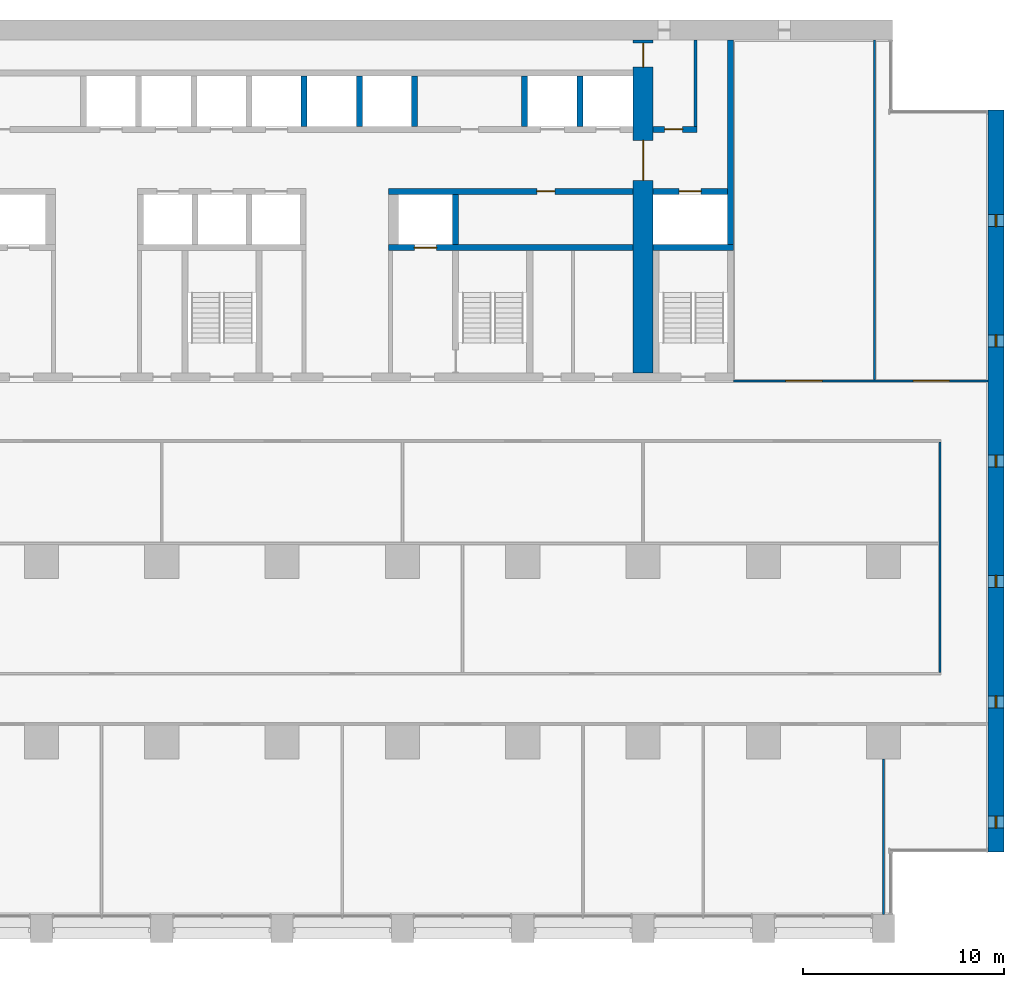
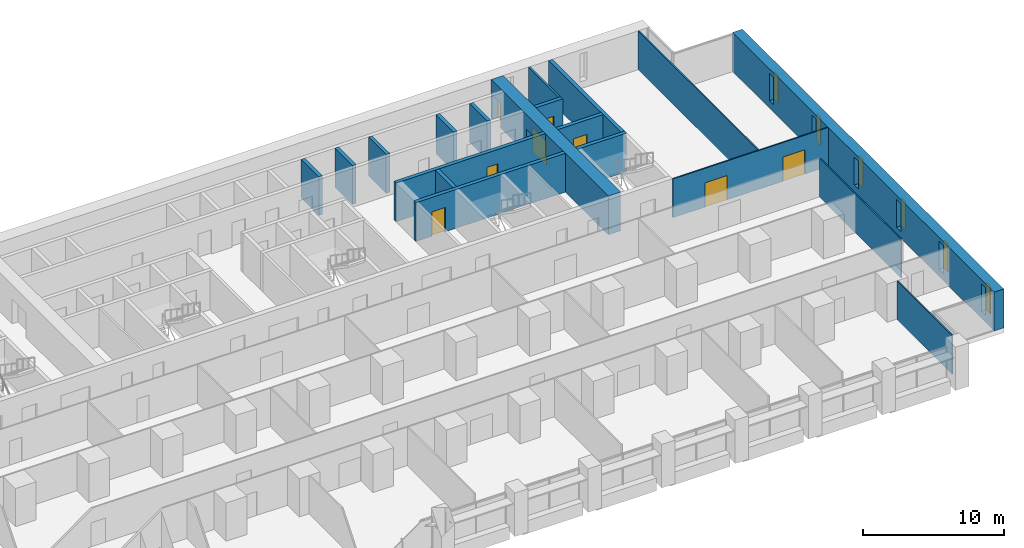
# One storey, part 13 of 18: 19 walls, 8 doors, 6 windows, 14 openings.
"""IFC4 building model written with IfcOpenShell, lengths in metres."""

import ifcopenshell
import ifcopenshell.guid

model = None  # the IFC model being written
_history = None  # IfcOwnerHistory: only IFC2X3 demands one
_inside = {}  # id of a spatial element -> (the spatial element, [elements in it])
_under = {}  # id of a project, library or spatial element -> (it, [spatial elements below it])
_declared = {}  # id of a project -> (the project, [libraries it declares])
_typed = {}  # id of a type object -> (the type object, [elements of that type])
_made_of = {}  # id of a material, layer set ... -> (it, [elements and type objects made of it])


def new_model(schema):
    """Start an empty IFC model of exactly this schema.

    Asked for "IFC4X3", IfcOpenShell would pick the latest addendum, in which some entities
    have other attributes; the version numbers below select the first issue.
    IFC2X3 requires an IfcOwnerHistory on every rooted entity: one is made here for all.
    """
    global model, _history
    if schema == "IFC4X3":
        model = ifcopenshell.file(schema_version=(4, 3, 0, 0))
    else:
        model = ifcopenshell.file(schema=schema)
    _inside.clear()
    _under.clear()
    _declared.clear()
    _typed.clear()
    _made_of.clear()
    _history = None
    if model.schema == "IFC2X3":
        org = make("IfcOrganization", Name="unknown")
        user = make(
            "IfcPersonAndOrganization",
            ThePerson=make("IfcPerson", FamilyName="unknown"),
            TheOrganization=org,
        )
        app = make(
            "IfcApplication",
            ApplicationDeveloper=org,
            Version="unknown",
            ApplicationFullName="unknown",
            ApplicationIdentifier="unknown",
        )
        _history = make(
            "IfcOwnerHistory",
            OwningUser=user,
            OwningApplication=app,
            ChangeAction="ADDED",
            CreationDate=0,
        )
    return model


def make(cls, **values):
    """One entity of the class cls with the attributes given. An attribute that is None is left unset."""
    return model.create_entity(
        cls, **{name: value for name, value in values.items() if value is not None}
    )


def rooted(cls, **values):
    """An entity with a GlobalId (a new one), such as an element, a storey or a relation."""
    return make(cls, GlobalId=ifcopenshell.guid.new(), OwnerHistory=_history, **values)


def si_unit(unit_type, name, prefix=None):
    """IfcSIUnit, for example si_unit("LENGTHUNIT", "METRE", prefix="MILLI")."""
    return make("IfcSIUnit", UnitType=unit_type, Prefix=prefix, Name=name)


def assignment(units):
    """IfcUnitAssignment: the units of a project."""
    return None if units is None else make("IfcUnitAssignment", Units=units)


def point(xyz):
    """IfcCartesianPoint."""
    return None if xyz is None else make("IfcCartesianPoint", Coordinates=xyz)


def direction(xyz):
    """IfcDirection."""
    return None if xyz is None else make("IfcDirection", DirectionRatios=xyz)


def frame(location, z_axis=None, x_axis=None):
    """IfcAxis2Placement3D, a coordinate frame: its origin and axes. An axis left out is left unset."""
    return make(
        "IfcAxis2Placement3D",
        Location=point(location),
        Axis=direction(z_axis),
        RefDirection=direction(x_axis),
    )


def frame_2d(location, x_axis=None):
    """IfcAxis2Placement2D, a coordinate frame in the plane: its origin and x axis."""
    return make(
        "IfcAxis2Placement2D", Location=point(location), RefDirection=direction(x_axis)
    )


def origin():
    """The frame at (0, 0, 0) with its axes left unset."""
    return frame((0.0, 0.0, 0.0))


def place(relative_to, where):
    """IfcLocalPlacement: puts the frame where relative to a parent placement (None: the world)."""
    return make(
        "IfcLocalPlacement", PlacementRelTo=relative_to, RelativePlacement=where
    )


def context(
    kind, dimensions, precision=None, world=None, true_north=None, identifier=None
):
    """IfcGeometricRepresentationContext, for example the 3D "Model" context."""
    return make(
        "IfcGeometricRepresentationContext",
        ContextIdentifier=identifier,
        ContextType=kind,
        CoordinateSpaceDimension=dimensions,
        Precision=precision,
        WorldCoordinateSystem=world,
        TrueNorth=true_north,
    )


def subcontext(parent, identifier, kind, view, scale=None):
    """IfcGeometricRepresentationSubContext, for example "Body" below "Model"."""
    return make(
        "IfcGeometricRepresentationSubContext",
        ContextIdentifier=identifier,
        ContextType=kind,
        ParentContext=parent,
        TargetScale=scale,
        TargetView=view,
    )


def project(units=None, contexts=None):
    """IfcProject with its units and contexts."""
    return rooted(
        "IfcProject",
        Name="project",
        RepresentationContexts=contexts,
        UnitsInContext=assignment(units),
    )


def spatial(cls, under=None, at=None, **own):
    """A site, building, storey or space (cls), placed at a placement, below another one or the project."""
    s = rooted(cls, ObjectPlacement=at, **own)
    if under is not None:
        _under.setdefault(under.id(), (under, []))[1].append(s)
    return s


def profile(cls, at=None, kind="AREA", **sizes):
    """A parametric profile (cls). Its sizes go by their IFC names, for example OverallWidth=200.0."""
    return make(cls, ProfileType=kind, Position=at, **sizes)


def rectangle(**sizes):
    """IfcRectangleProfileDef."""
    return profile("IfcRectangleProfileDef", **sizes)


def extrude(swept, where, along, depth):
    """IfcExtrudedAreaSolid: the profile swept, set in the frame where, extruded along a direction by depth."""
    return make(
        "IfcExtrudedAreaSolid",
        SweptArea=swept,
        Position=where,
        ExtrudedDirection=direction(along),
        Depth=depth,
    )


def shape(context_of_items, identifier, shape_type, items):
    """IfcShapeRepresentation: the items that make up one representation, for example the "Body"."""
    return make(
        "IfcShapeRepresentation",
        ContextOfItems=context_of_items,
        RepresentationIdentifier=identifier,
        RepresentationType=shape_type,
        Items=items,
    )


def material(Name=None, Category=None):
    """IfcMaterial."""
    return make("IfcMaterial", Name=Name, Category=Category)


def layer(
    of_material, thickness, ventilated=None, Name=None, Category=None, Priority=None
):
    """IfcMaterialLayer: one layer of a wall or slab, of a material (None: an air gap)."""
    return make(
        "IfcMaterialLayer",
        Material=of_material,
        LayerThickness=thickness,
        IsVentilated=ventilated,
        Name=Name,
        Category=Category,
        Priority=Priority,
    )


def layer_set(layers, Name=None):
    """IfcMaterialLayerSet."""
    return make("IfcMaterialLayerSet", MaterialLayers=layers, LayerSetName=Name)


def made_of(thing, what):
    """Note that an element or type object is made of a material, layer set ...; save() writes the relation."""
    if what is not None:
        _made_of.setdefault(what.id(), (what, []))[1].append(thing)
    return thing


def type_object(cls, material=None, **own):
    """A type object (cls), such as IfcWallType, which elements share."""
    return made_of(rooted(cls, **own), material)


def element(
    cls,
    number,
    at=None,
    inside=None,
    cuts=None,
    type_object=None,
    material=None,
    context=None,
    identifier="Body",
    shape_type=None,
    held_by="IfcProductDefinitionShape",
    body=None,
    shapes=None,
    **own,
):
    """One element of the class cls, such as IfcWall. Its Tag is "e" and its number.

    at: its placement. inside: the storey or other place that contains it. cuts: it is an
    opening in that element (IfcRelVoidsElement). A single representation is given by context,
    identifier, shape_type and body (its items); several are given by shapes. held_by: the class
    of the entity that holds the representations. save() writes the other relations.
    """
    e = rooted(cls, Tag="e%d" % number, ObjectPlacement=at, **own)
    if body is not None:
        shapes = [shape(context, identifier, shape_type, body)]
    if shapes is not None:
        e.Representation = make(held_by, Representations=shapes)
    if inside is not None:
        _inside.setdefault(inside.id(), (inside, []))[1].append(e)
    if cuts is not None:
        rooted(
            "IfcRelVoidsElement", RelatingBuildingElement=cuts, RelatedOpeningElement=e
        )
    if type_object is not None:
        _typed.setdefault(type_object.id(), (type_object, []))[1].append(e)
    return made_of(e, material)


def fill(opening, filler):
    """IfcRelFillsElement: the door or window that sits in an opening."""
    return rooted(
        "IfcRelFillsElement",
        RelatingOpeningElement=opening,
        RelatedBuildingElement=filler,
    )


def aggregate(whole, parts):
    """IfcRelAggregates: a whole, such as a stair, and the parts it consists of."""
    return rooted("IfcRelAggregates", RelatingObject=whole, RelatedObjects=parts)


def save(model, path):
    """Write the relations noted so far, then the file.

    IfcRelAggregates (storeys below a building ...), IfcRelContainedInSpatialStructure (elements
    in a storey), IfcRelDefinesByType, IfcRelAssociatesMaterial and IfcRelDeclares: one each for
    every whole, place, type object, material and project.
    """
    for whole, parts in _under.values():
        aggregate(whole, parts)
    for where, things in _inside.values():
        rooted(
            "IfcRelContainedInSpatialStructure",
            RelatedElements=things,
            RelatingStructure=where,
        )
    for kind, things in _typed.values():
        rooted("IfcRelDefinesByType", RelatedObjects=things, RelatingType=kind)
    for what, things in _made_of.values():
        rooted("IfcRelAssociatesMaterial", RelatedObjects=things, RelatingMaterial=what)
    for by, libraries in _declared.values():
        rooted("IfcRelDeclares", RelatingContext=by, RelatedDefinitions=libraries)
    model.write(path)


model = new_model("IFC4")

# Units and contexts
model_context = context("Model", 3, precision=1e-05, world=origin(), true_north=direction((0.0, 1.0)))
body_context = subcontext(model_context, "Body", "Model", "MODEL_VIEW")
ifc_project = project(units=[si_unit("LENGTHUNIT", "METRE"), si_unit("AREAUNIT", "SQUARE_METRE"), si_unit("VOLUMEUNIT", "CUBIC_METRE"), si_unit("PLANEANGLEUNIT", "RADIAN"), si_unit("MASSUNIT", "GRAM", prefix="KILO")], contexts=[model_context])

# Site, building, storey
site_placement = place(None, origin())
site = spatial("IfcSite", under=ifc_project, at=site_placement, CompositionType="ELEMENT")
building_placement = place(site_placement, origin())
building = spatial("IfcBuilding", under=site, at=building_placement, Name="Calvaro Tower", CompositionType="ELEMENT")
storey_placement = place(building_placement, frame((0.0, 0.0, 45.0)))
storey = spatial("IfcBuildingStorey", under=building, at=storey_placement, Name="L10", CompositionType="ELEMENT", Elevation=45.0)

# Wall
ifc_material_1 = material(Name="Blockwork partition", Category="masonry")
ifc_layer_1 = layer(ifc_material_1, 0.14990234375)
ifc_layer_set_1 = layer_set([ifc_layer_1], Name="Blockwork partition")
wall_type_1 = type_object("IfcWallType", Name="Core partition 150 REI 120", PredefinedType="PARTITIONING", material=ifc_layer_set_1)
wall_1_placement = place(storey_placement, frame((62.625, 40.699951171875, 0.0), z_axis=(0.0, 0.0, 1.0), x_axis=(0.0, 1.0, 0.0)))
element("IfcWall", 1, at=wall_1_placement, inside=storey, type_object=wall_type_1, Name="Core partition", PredefinedType="PARTITIONING", context=body_context, shape_type="SweptSolid", body=[
    extrude(rectangle(XDim=4.300048828125, YDim=0.14990234375, at=frame_2d((2.14990234375, 0.0))), origin(), (0.0, 0.0, 1.0), 3.35009765625),
])

# Wall, opening, door
ifc_material_2 = material(Name="Blockwork partition", Category="masonry")
ifc_layer_2 = layer(ifc_material_2, 0.300048828125)
ifc_layer_set_2 = layer_set([ifc_layer_2], Name="Blockwork partition")
wall_type_2 = type_object("IfcWallType", Name="Core partition 300 REI 120", PredefinedType="PARTITIONING", material=ifc_layer_set_2)
wall_2_placement = place(storey_placement, frame((60.5, 40.550048828125, 0.0), z_axis=(0.0, 0.0, 1.0), x_axis=(1.0, 0.0, 0.0)))
wall_2 = element("IfcWall", 2, at=wall_2_placement, inside=storey, type_object=wall_type_2, Name="Core partition", PredefinedType="PARTITIONING", context=body_context, shape_type="SweptSolid", body=[
    extrude(rectangle(XDim=2.199951171875, YDim=0.300048828125, at=frame_2d((1.10009765625, 0.0))), origin(), (0.0, 0.0, 1.0), 3.35009765625),
])
opening_1_placement = place(wall_2_placement, frame((0.574951171875, 0.0, 0.0)))
opening_1 = element("IfcOpeningElement", 3, at=opening_1_placement, cuts=wall_2, Name="Opening RD9E", PredefinedType="OPENING", context=body_context, shape_type="SweptSolid", body=[
    extrude(rectangle(XDim=0.89990234375, YDim=2.10009765625, at=frame_2d((0.449951171875, 1.050048828125))), frame((0.0, 0.159912109375, 0.0), z_axis=(0.0, -1.0, 0.0), x_axis=(1.0, 0.0, 0.0)), (0.0, 0.0, 1.0), 0.320068359375),
])
ifc_material_3 = material(Name="Steel door set", Category="steel")
door_type_1 = type_object("IfcDoorType", Name="Room door 900 FD60", OperationType="SINGLE_SWING_LEFT", PredefinedType="DOOR", material=ifc_material_3)
door_1_placement = place(opening_1_placement, origin())
door_1 = element("IfcDoor", 4, at=door_1_placement, inside=storey, type_object=door_type_1, Name="Room door", OperationType="SINGLE_SWING_LEFT", OverallHeight=2.10009765625, OverallWidth=0.89990234375, PredefinedType="DOOR", context=body_context, shape_type="SweptSolid", body=[
    extrude(rectangle(XDim=0.89990234375, YDim=2.10009765625, at=frame_2d((0.449951171875, 1.050048828125))), frame((0.0, 0.02490234375, 0.0), z_axis=(0.0, -1.0, 0.0), x_axis=(1.0, 0.0, 0.0)), (0.0, 0.0, 1.0), 0.050048828125),
])
fill(opening_1, door_1)

# Wall, openings, doors
ifc_material_4 = material(Name="Concrete C80/95", Category="concrete")
ifc_layer_3 = layer(ifc_material_4, 1.0)
ifc_layer_set_3 = layer_set([ifc_layer_3], Name="Concrete C80/95")
wall_type_3 = type_object("IfcWallType", Name="Core wall C80/95 1000", PredefinedType="SHEAR", material=ifc_layer_set_3)
wall_3_placement = place(storey_placement, frame((60.0, 28.39990234375, 0.0), z_axis=(0.0, 0.0, 1.0), x_axis=(0.0, 1.0, 0.0)))
wall_3 = element("IfcWall", 5, at=wall_3_placement, inside=storey, type_object=wall_type_3, Name="Core wall, cross shear wall", PredefinedType="SHEAR", context=body_context, shape_type="SweptSolid", body=[
    extrude(rectangle(XDim=16.60009765625, YDim=1.0, at=frame_2d((8.300048828125, 0.0))), origin(), (0.0, 0.0, 1.0), 3.35009765625),
])
opening_2_placement = place(wall_3_placement, frame((9.60009765625, 0.0, 0.0)))
opening_2 = element("IfcOpeningElement", 6, at=opening_2_placement, cuts=wall_3, Name="Opening DD20D", PredefinedType="OPENING", context=body_context, shape_type="SweptSolid", body=[
    extrude(rectangle(XDim=2.0, YDim=2.10009765625, at=frame_2d((1.0, 1.050048828125))), frame((0.0, 0.510009765625, 0.0), z_axis=(0.0, -1.0, 0.0), x_axis=(1.0, 0.0, 0.0)), (0.0, 0.0, 1.0), 1.02001953125),
])
opening_3_placement = place(wall_3_placement, frame((15.25, 0.0, 0.0)))
opening_3 = element("IfcOpeningElement", 7, at=opening_3_placement, cuts=wall_3, Name="Opening FD12C", PredefinedType="OPENING", context=body_context, shape_type="SweptSolid", body=[
    extrude(rectangle(XDim=1.199951171875, YDim=2.10009765625, at=frame_2d((0.60009765625, 1.050048828125))), frame((0.0, 0.510009765625, 0.0), z_axis=(0.0, -1.0, 0.0), x_axis=(1.0, 0.0, 0.0)), (0.0, 0.0, 1.0), 1.02001953125),
])
ifc_material_5 = material(Name="Steel door set", Category="steel")
door_type_2 = type_object("IfcDoorType", Name="Fire door 1200 FD30", OperationType="SINGLE_SWING_LEFT", PredefinedType="DOOR", material=ifc_material_5)
door_2_placement = place(opening_3_placement, origin())
door_2 = element("IfcDoor", 8, at=door_2_placement, inside=storey, type_object=door_type_2, Name="Fire door", OperationType="SINGLE_SWING_LEFT", OverallHeight=2.10009765625, OverallWidth=1.199951171875, PredefinedType="DOOR", context=body_context, shape_type="SweptSolid", body=[
    extrude(rectangle(XDim=1.199951171875, YDim=2.10009765625, at=frame_2d((0.60009765625, 1.050048828125))), frame((0.0, 0.02490234375, 0.0), z_axis=(0.0, -1.0, 0.0), x_axis=(1.0, 0.0, 0.0)), (0.0, 0.0, 1.0), 0.050048828125),
])
fill(opening_3, door_2)
ifc_material_6 = material(Name="Steel door set", Category="steel")
door_type_3 = type_object("IfcDoorType", Name="Lobby double door 2000 FD30S", OperationType="DOUBLE_DOOR_SINGLE_SWING", PredefinedType="DOOR", material=ifc_material_6)
door_3_placement = place(opening_2_placement, origin())
door_3 = element("IfcDoor", 9, at=door_3_placement, inside=storey, type_object=door_type_3, Name="Lobby double door", OperationType="DOUBLE_DOOR_SINGLE_SWING", OverallHeight=2.10009765625, OverallWidth=2.0, PredefinedType="DOOR", context=body_context, shape_type="SweptSolid", body=[
    extrude(rectangle(XDim=2.0, YDim=2.10009765625, at=frame_2d((1.0, 1.050048828125))), frame((0.0, 0.02490234375, 0.0), z_axis=(0.0, -1.0, 0.0), x_axis=(1.0, 0.0, 0.0)), (0.0, 0.0, 1.0), 0.050048828125),
])
fill(opening_2, door_3)

# Wall
ifc_material_7 = material(Name="Concrete C80/95", Category="concrete")
ifc_layer_4 = layer(ifc_material_7, 0.300048828125)
ifc_layer_set_4 = layer_set([ifc_layer_4], Name="Concrete C80/95")
wall_type_4 = type_object("IfcWallType", Name="Core wall C80/95 300", PredefinedType="SHEAR", material=ifc_layer_set_4)
wall_4_placement = place(storey_placement, frame((64.35009765625, 34.800048828125, 0.0), z_axis=(0.0, 0.0, 1.0), x_axis=(0.0, 1.0, 0.0)))
element("IfcWall", 10, at=wall_4_placement, inside=storey, type_object=wall_type_4, Name="Core wall, boundary", PredefinedType="SHEAR", context=body_context, shape_type="SweptSolid", body=[
    extrude(rectangle(XDim=10.199951171875, YDim=0.300048828125, at=frame_2d((5.10009765625, 0.0))), origin(), (0.0, 0.0, 1.0), 3.35009765625),
])

# Wall, opening, door
wall_5_placement = place(storey_placement, frame((47.300048828125, 34.64990234375, 0.0), z_axis=(0.0, 0.0, 1.0), x_axis=(1.0, 0.0, 0.0)))
wall_5 = element("IfcWall", 11, at=wall_5_placement, inside=storey, type_object=wall_type_4, Name="Core wall, lift shaft", PredefinedType="SHEAR", context=body_context, shape_type="SweptSolid", body=[
    extrude(rectangle(XDim=12.199951171875, YDim=0.300048828125, at=frame_2d((6.10009765625, 0.0))), origin(), (0.0, 0.0, 1.0), 3.35009765625),
])
opening_4_placement = place(wall_5_placement, frame((1.300048828125, 0.0, 0.0)))
opening_4 = element("IfcOpeningElement", 12, at=opening_4_placement, cuts=wall_5, Name="Opening FF2", PredefinedType="OPENING", context=body_context, shape_type="SweptSolid", body=[
    extrude(rectangle(XDim=1.10009765625, YDim=2.10009765625, at=frame_2d((0.550048828125, 1.050048828125))), frame((0.0, 0.159912109375, 0.0), z_axis=(0.0, -1.0, 0.0), x_axis=(1.0, 0.0, 0.0)), (0.0, 0.0, 1.0), 0.320068359375),
])
ifc_material_8 = material(Name="Stainless steel", Category="steel")
door_type_4 = type_object("IfcDoorType", Name="Landing door 1100 E 60", OperationType="SLIDING_TO_LEFT", PredefinedType="DOOR", material=ifc_material_8)
door_4_placement = place(opening_4_placement, origin())
door_4 = element("IfcDoor", 13, at=door_4_placement, inside=storey, type_object=door_type_4, Name="Landing door FF2", OperationType="SLIDING_TO_LEFT", OverallHeight=2.10009765625, OverallWidth=1.10009765625, PredefinedType="DOOR", context=body_context, shape_type="SweptSolid", body=[
    extrude(rectangle(XDim=1.10009765625, YDim=2.10009765625, at=frame_2d((0.550048828125, 1.050048828125))), frame((0.0, 0.02490234375, 0.0), z_axis=(0.0, -1.0, 0.0), x_axis=(1.0, 0.0, 0.0)), (0.0, 0.0, 1.0), 0.050048828125),
])
fill(opening_4, door_4)

# Wall
wall_6_placement = place(storey_placement, frame((60.5, 34.64990234375, 0.0), z_axis=(0.0, 0.0, 1.0), x_axis=(1.0, 0.0, 0.0)))
element("IfcWall", 14, at=wall_6_placement, inside=storey, type_object=wall_type_4, Name="Core wall, lift shaft", PredefinedType="SHEAR", context=body_context, shape_type="SweptSolid", body=[
    extrude(rectangle(XDim=4.0, YDim=0.300048828125, at=frame_2d((2.0, 0.0))), origin(), (0.0, 0.0, 1.0), 3.35009765625),
])

# Wall, opening, door
wall_7_placement = place(storey_placement, frame((59.5, 37.449951171875, 0.0), z_axis=(0.0, 0.0, 1.0), x_axis=(-1.0, 0.0, 0.0)))
wall_7 = element("IfcWall", 15, at=wall_7_placement, inside=storey, type_object=wall_type_4, Name="Core wall, bay", PredefinedType="SHEAR", context=body_context, shape_type="SweptSolid", body=[
    extrude(rectangle(XDim=12.199951171875, YDim=0.300048828125, at=frame_2d((6.10009765625, 0.0))), origin(), (0.0, 0.0, 1.0), 3.35009765625),
])
opening_5_placement = place(wall_7_placement, frame((3.89990234375, 0.0, 0.0)))
opening_5 = element("IfcOpeningElement", 16, at=opening_5_placement, cuts=wall_7, Name="Opening RD9C", PredefinedType="OPENING", context=body_context, shape_type="SweptSolid", body=[
    extrude(rectangle(XDim=0.89990234375, YDim=2.10009765625, at=frame_2d((0.449951171875, 1.050048828125))), frame((0.0, 0.159912109375, 0.0), z_axis=(0.0, -1.0, 0.0), x_axis=(1.0, 0.0, 0.0)), (0.0, 0.0, 1.0), 0.320068359375),
])
ifc_material_9 = material(Name="Steel door set", Category="steel")
door_type_5 = type_object("IfcDoorType", Name="Room door 900 FD30", OperationType="SINGLE_SWING_LEFT", PredefinedType="DOOR", material=ifc_material_9)
door_5_placement = place(opening_5_placement, origin())
door_5 = element("IfcDoor", 17, at=door_5_placement, inside=storey, type_object=door_type_5, Name="Room door", OperationType="SINGLE_SWING_RIGHT", OverallHeight=2.10009765625, OverallWidth=0.89990234375, PredefinedType="DOOR", context=body_context, shape_type="SweptSolid", body=[
    extrude(rectangle(XDim=0.89990234375, YDim=2.10009765625, at=frame_2d((0.449951171875, 1.050048828125))), frame((0.0, 0.02490234375, 0.0), z_axis=(0.0, -1.0, 0.0), x_axis=(1.0, 0.0, 0.0)), (0.0, 0.0, 1.0), 0.050048828125),
])
fill(opening_5, door_5)

wall_8_placement = place(storey_placement, frame((60.5, 37.449951171875, 0.0), z_axis=(0.0, 0.0, 1.0), x_axis=(1.0, 0.0, 0.0)))
wall_8 = element("IfcWall", 18, at=wall_8_placement, inside=storey, type_object=wall_type_4, Name="Core wall, lift shaft", PredefinedType="SHEAR", context=body_context, shape_type="SweptSolid", body=[
    extrude(rectangle(XDim=3.699951171875, YDim=0.300048828125, at=frame_2d((1.85009765625, 0.0))), origin(), (0.0, 0.0, 1.0), 3.35009765625),
])
opening_6_placement = place(wall_8_placement, frame((1.300048828125, 0.0, 0.0)))
opening_6 = element("IfcOpeningElement", 19, at=opening_6_placement, cuts=wall_8, Name="Opening FF3", PredefinedType="OPENING", context=body_context, shape_type="SweptSolid", body=[
    extrude(rectangle(XDim=1.10009765625, YDim=2.10009765625, at=frame_2d((0.550048828125, 1.050048828125))), frame((0.0, 0.159912109375, 0.0), z_axis=(0.0, -1.0, 0.0), x_axis=(1.0, 0.0, 0.0)), (0.0, 0.0, 1.0), 0.320068359375),
])
door_6_placement = place(opening_6_placement, origin())
door_6 = element("IfcDoor", 20, at=door_6_placement, inside=storey, type_object=door_type_4, Name="Landing door FF3", OperationType="SLIDING_TO_LEFT", OverallHeight=2.10009765625, OverallWidth=1.10009765625, PredefinedType="DOOR", context=body_context, shape_type="SweptSolid", body=[
    extrude(rectangle(XDim=1.10009765625, YDim=2.10009765625, at=frame_2d((0.550048828125, 1.050048828125))), frame((0.0, 0.02490234375, 0.0), z_axis=(0.0, -1.0, 0.0), x_axis=(1.0, 0.0, 0.0)), (0.0, 0.0, 1.0), 0.050048828125),
])
fill(opening_6, door_6)

# Walls
for number, where, z_axis, x_axis, name in (
    (21, (50.64990234375, 34.800048828125, 0.0), (0.0, 0.0, 1.0), (0.0, 1.0, 0.0), "Core wall, lift shaft"),
    (22, (43.10009765625, 40.699951171875, 0.0), (0.0, 0.0, 1.0), (0.0, 1.0, 0.0), "Core wall, lift shaft"),
    (23, (45.85009765625, 40.699951171875, 0.0), (0.0, 0.0, 1.0), (0.0, 1.0, 0.0), "Core wall, lift shaft"),
    (24, (48.60009765625, 40.699951171875, 0.0), (0.0, 0.0, 1.0), (0.0, 1.0, 0.0), "Core wall, lift shaft"),
    (25, (54.10009765625, 40.699951171875, 0.0), (0.0, 0.0, 1.0), (0.0, 1.0, 0.0), "Core wall, lift shaft"),
    (26, (56.85009765625, 40.699951171875, 0.0), (0.0, 0.0, 1.0), (0.0, 1.0, 0.0), "Core wall, lift shaft"),
):
    element("IfcWall", number, at=place(storey_placement, frame(where, z_axis=z_axis, x_axis=x_axis)), inside=storey, type_object=wall_type_4, Name=name, PredefinedType="SHEAR", context=body_context, shape_type="SweptSolid", body=[
        extrude(rectangle(XDim=2.5, YDim=0.300048828125, at=frame_2d((1.25, 0.0))), origin(), (0.0, 0.0, 1.0), 3.35009765625),
    ])

# Wall, openings, windows
ifc_material_10 = material(Name="Concrete C80/95", Category="concrete")
ifc_layer_5 = layer(ifc_material_10, 0.800048828125)
ifc_layer_set_5 = layer_set([ifc_layer_5], Name="Concrete C80/95")
wall_type_5 = type_object("IfcWallType", Name="End wall 800 C80/95", PredefinedType="SHEAR", material=ifc_layer_set_5)
wall_9_placement = place(storey_placement, frame((77.60009765625, 4.5, 0.0), z_axis=(0.0, 0.0, 1.0), x_axis=(0.0, 1.0, 0.0)))
wall_9 = element("IfcWall", 27, at=wall_9_placement, inside=storey, type_object=wall_type_5, Name="End shear wall", PredefinedType="SHEAR", context=body_context, shape_type="SweptSolid", body=[
    extrude(rectangle(XDim=37.0, YDim=0.800048828125, at=frame_2d((18.5, 0.0))), origin(), (0.0, 0.0, 1.0), 3.35009765625),
])
opening_7_placement = place(wall_9_placement, frame((1.199951171875, 0.0, 0.60009765625)))
opening_7 = element("IfcOpeningElement", 28, at=opening_7_placement, cuts=wall_9, Name="Opening WE01", PredefinedType="OPENING", context=body_context, shape_type="SweptSolid", body=[
    extrude(rectangle(XDim=0.60009765625, YDim=2.39990234375, at=frame_2d((0.300048828125, 1.199951171875))), frame((0.0, 0.409912109375, 0.0), z_axis=(0.0, -1.0, 0.0), x_axis=(1.0, 0.0, 0.0)), (0.0, 0.0, 1.0), 0.820068359375),
])
opening_8_placement = place(wall_9_placement, frame((7.199951171875, 0.0, 0.60009765625)))
opening_8 = element("IfcOpeningElement", 29, at=opening_8_placement, cuts=wall_9, Name="Opening WE02", PredefinedType="OPENING", context=body_context, shape_type="SweptSolid", body=[
    extrude(rectangle(XDim=0.60009765625, YDim=2.39990234375, at=frame_2d((0.300048828125, 1.199951171875))), frame((0.0, 0.409912109375, 0.0), z_axis=(0.0, -1.0, 0.0), x_axis=(1.0, 0.0, 0.0)), (0.0, 0.0, 1.0), 0.820068359375),
])
opening_9_placement = place(wall_9_placement, frame((13.199951171875, 0.0, 0.60009765625)))
opening_9 = element("IfcOpeningElement", 30, at=opening_9_placement, cuts=wall_9, Name="Opening WE03", PredefinedType="OPENING", context=body_context, shape_type="SweptSolid", body=[
    extrude(rectangle(XDim=0.60009765625, YDim=2.39990234375, at=frame_2d((0.300048828125, 1.199951171875))), frame((0.0, 0.409912109375, 0.0), z_axis=(0.0, -1.0, 0.0), x_axis=(1.0, 0.0, 0.0)), (0.0, 0.0, 1.0), 0.820068359375),
])
opening_10_placement = place(wall_9_placement, frame((19.199951171875, 0.0, 0.60009765625)))
opening_10 = element("IfcOpeningElement", 31, at=opening_10_placement, cuts=wall_9, Name="Opening WE04", PredefinedType="OPENING", context=body_context, shape_type="SweptSolid", body=[
    extrude(rectangle(XDim=0.60009765625, YDim=2.39990234375, at=frame_2d((0.300048828125, 1.199951171875))), frame((0.0, 0.409912109375, 0.0), z_axis=(0.0, -1.0, 0.0), x_axis=(1.0, 0.0, 0.0)), (0.0, 0.0, 1.0), 0.820068359375),
])
opening_11_placement = place(wall_9_placement, frame((25.199951171875, 0.0, 0.60009765625)))
opening_11 = element("IfcOpeningElement", 32, at=opening_11_placement, cuts=wall_9, Name="Opening WE05", PredefinedType="OPENING", context=body_context, shape_type="SweptSolid", body=[
    extrude(rectangle(XDim=0.60009765625, YDim=2.39990234375, at=frame_2d((0.300048828125, 1.199951171875))), frame((0.0, 0.409912109375, 0.0), z_axis=(0.0, -1.0, 0.0), x_axis=(1.0, 0.0, 0.0)), (0.0, 0.0, 1.0), 0.820068359375),
])
opening_12_placement = place(wall_9_placement, frame((31.199951171875, 0.0, 0.60009765625)))
opening_12 = element("IfcOpeningElement", 33, at=opening_12_placement, cuts=wall_9, Name="Opening WE06", PredefinedType="OPENING", context=body_context, shape_type="SweptSolid", body=[
    extrude(rectangle(XDim=0.60009765625, YDim=2.39990234375, at=frame_2d((0.300048828125, 1.199951171875))), frame((0.0, 0.409912109375, 0.0), z_axis=(0.0, -1.0, 0.0), x_axis=(1.0, 0.0, 0.0)), (0.0, 0.0, 1.0), 0.820068359375),
])
ifc_material_11 = material(Name="Glass", Category="glass")
window_type = type_object("IfcWindowType", Name="Slit window 600 x 2400", PartitioningType="SINGLE_PANEL", PredefinedType="WINDOW", material=ifc_material_11)
window_1_placement = place(opening_7_placement, origin())
window_1 = element("IfcWindow", 34, at=window_1_placement, inside=storey, type_object=window_type, Name="Window WE01", OverallHeight=2.39990234375, OverallWidth=0.60009765625, PartitioningType="SINGLE_PANEL", PredefinedType="WINDOW", context=body_context, shape_type="SweptSolid", body=[
    extrude(rectangle(XDim=0.60009765625, YDim=2.39990234375, at=frame_2d((0.300048828125, 1.199951171875))), frame((0.0, 0.030029296875, 0.0), z_axis=(0.0, -1.0, 0.0), x_axis=(1.0, 0.0, 0.0)), (0.0, 0.0, 1.0), 0.06005859375),
])
fill(opening_7, window_1)
window_2_placement = place(opening_8_placement, origin())
window_2 = element("IfcWindow", 35, at=window_2_placement, inside=storey, type_object=window_type, Name="Window WE02", OverallHeight=2.39990234375, OverallWidth=0.60009765625, PartitioningType="SINGLE_PANEL", PredefinedType="WINDOW", context=body_context, shape_type="SweptSolid", body=[
    extrude(rectangle(XDim=0.60009765625, YDim=2.39990234375, at=frame_2d((0.300048828125, 1.199951171875))), frame((0.0, 0.030029296875, 0.0), z_axis=(0.0, -1.0, 0.0), x_axis=(1.0, 0.0, 0.0)), (0.0, 0.0, 1.0), 0.06005859375),
])
fill(opening_8, window_2)
window_3_placement = place(opening_9_placement, origin())
window_3 = element("IfcWindow", 36, at=window_3_placement, inside=storey, type_object=window_type, Name="Window WE03", OverallHeight=2.39990234375, OverallWidth=0.60009765625, PartitioningType="SINGLE_PANEL", PredefinedType="WINDOW", context=body_context, shape_type="SweptSolid", body=[
    extrude(rectangle(XDim=0.60009765625, YDim=2.39990234375, at=frame_2d((0.300048828125, 1.199951171875))), frame((0.0, 0.030029296875, 0.0), z_axis=(0.0, -1.0, 0.0), x_axis=(1.0, 0.0, 0.0)), (0.0, 0.0, 1.0), 0.06005859375),
])
fill(opening_9, window_3)
window_4_placement = place(opening_10_placement, origin())
window_4 = element("IfcWindow", 37, at=window_4_placement, inside=storey, type_object=window_type, Name="Window WE04", OverallHeight=2.39990234375, OverallWidth=0.60009765625, PartitioningType="SINGLE_PANEL", PredefinedType="WINDOW", context=body_context, shape_type="SweptSolid", body=[
    extrude(rectangle(XDim=0.60009765625, YDim=2.39990234375, at=frame_2d((0.300048828125, 1.199951171875))), frame((0.0, 0.030029296875, 0.0), z_axis=(0.0, -1.0, 0.0), x_axis=(1.0, 0.0, 0.0)), (0.0, 0.0, 1.0), 0.06005859375),
])
fill(opening_10, window_4)
window_5_placement = place(opening_11_placement, origin())
window_5 = element("IfcWindow", 38, at=window_5_placement, inside=storey, type_object=window_type, Name="Window WE05", OverallHeight=2.39990234375, OverallWidth=0.60009765625, PartitioningType="SINGLE_PANEL", PredefinedType="WINDOW", context=body_context, shape_type="SweptSolid", body=[
    extrude(rectangle(XDim=0.60009765625, YDim=2.39990234375, at=frame_2d((0.300048828125, 1.199951171875))), frame((0.0, 0.030029296875, 0.0), z_axis=(0.0, -1.0, 0.0), x_axis=(1.0, 0.0, 0.0)), (0.0, 0.0, 1.0), 0.06005859375),
])
fill(opening_11, window_5)
window_6_placement = place(opening_12_placement, origin())
window_6 = element("IfcWindow", 39, at=window_6_placement, inside=storey, type_object=window_type, Name="Window WE06", OverallHeight=2.39990234375, OverallWidth=0.60009765625, PartitioningType="SINGLE_PANEL", PredefinedType="WINDOW", context=body_context, shape_type="SweptSolid", body=[
    extrude(rectangle(XDim=0.60009765625, YDim=2.39990234375, at=frame_2d((0.300048828125, 1.199951171875))), frame((0.0, 0.030029296875, 0.0), z_axis=(0.0, -1.0, 0.0), x_axis=(1.0, 0.0, 0.0)), (0.0, 0.0, 1.0), 0.06005859375),
])
fill(opening_12, window_6)

# Wall, openings, doors
ifc_material_12 = material(Name="Plasterboard on steel studs", Category="steel")
ifc_layer_6 = layer(ifc_material_12, 0.10009765625)
ifc_layer_set_6 = layer_set([ifc_layer_6], Name="Plasterboard on steel studs")
wall_type_6 = type_object("IfcWallType", Name="Partition 100", PredefinedType="PARTITIONING", material=ifc_layer_set_6)
wall_10_placement = place(storey_placement, frame((64.5, 28.0, 0.0), z_axis=(0.0, 0.0, 1.0), x_axis=(1.0, 0.0, 0.0)))
wall_10 = element("IfcWall", 40, at=wall_10_placement, inside=storey, type_object=wall_type_6, Name="Partition T10.W006", PredefinedType="PARTITIONING", context=body_context, shape_type="SweptSolid", body=[
    extrude(rectangle(XDim=12.699951171875, YDim=0.10009765625, at=frame_2d((6.35009765625, 0.0))), origin(), (0.0, 0.0, 1.0), 3.35009765625),
])
opening_13_placement = place(wall_10_placement, frame((8.97509765625, 0.0, 0.0)))
opening_13 = element("IfcOpeningElement", 41, at=opening_13_placement, cuts=wall_10, Name="Opening T10.021", PredefinedType="OPENING", context=body_context, shape_type="SweptSolid", body=[
    extrude(rectangle(XDim=1.800048828125, YDim=2.10009765625, at=frame_2d((0.89990234375, 1.050048828125))), frame((0.0, 0.06005859375, 0.0), z_axis=(0.0, -1.0, 0.0), x_axis=(1.0, 0.0, 0.0)), (0.0, 0.0, 1.0), 0.1201171875),
])
opening_14_placement = place(wall_10_placement, frame((2.625, 0.0, 0.0)))
opening_14 = element("IfcOpeningElement", 42, at=opening_14_placement, cuts=wall_10, Name="Opening T10.023", PredefinedType="OPENING", context=body_context, shape_type="SweptSolid", body=[
    extrude(rectangle(XDim=1.800048828125, YDim=2.10009765625, at=frame_2d((0.89990234375, 1.050048828125))), frame((0.0, 0.06005859375, 0.0), z_axis=(0.0, -1.0, 0.0), x_axis=(1.0, 0.0, 0.0)), (0.0, 0.0, 1.0), 0.1201171875),
])
ifc_material_13 = material(Name="Timber", Category="wood")
door_type_6 = type_object("IfcDoorType", Name="Internal double door 1800 x 2100", OperationType="DOUBLE_DOOR_SINGLE_SWING", PredefinedType="DOOR", material=ifc_material_13)
door_7_placement = place(opening_13_placement, origin())
door_7 = element("IfcDoor", 43, at=door_7_placement, inside=storey, type_object=door_type_6, Name="Door T10.021", OperationType="DOUBLE_DOOR_SINGLE_SWING", OverallHeight=2.10009765625, OverallWidth=1.800048828125, PredefinedType="DOOR", context=body_context, shape_type="SweptSolid", body=[
    extrude(rectangle(XDim=1.800048828125, YDim=2.10009765625, at=frame_2d((0.89990234375, 1.050048828125))), frame((0.0, 0.02490234375, 0.0), z_axis=(0.0, -1.0, 0.0), x_axis=(1.0, 0.0, 0.0)), (0.0, 0.0, 1.0), 0.050048828125),
])
fill(opening_13, door_7)
door_8_placement = place(opening_14_placement, origin())
door_8 = element("IfcDoor", 44, at=door_8_placement, inside=storey, type_object=door_type_6, Name="Door T10.023", OperationType="DOUBLE_DOOR_SINGLE_SWING", OverallHeight=2.10009765625, OverallWidth=1.800048828125, PredefinedType="DOOR", context=body_context, shape_type="SweptSolid", body=[
    extrude(rectangle(XDim=1.800048828125, YDim=2.10009765625, at=frame_2d((0.89990234375, 1.050048828125))), frame((0.0, 0.02490234375, 0.0), z_axis=(0.0, -1.0, 0.0), x_axis=(1.0, 0.0, 0.0)), (0.0, 0.0, 1.0), 0.050048828125),
])
fill(opening_14, door_8)

# Walls
wall_11_placement = place(storey_placement, frame((71.550048828125, 28.050048828125, 0.0), z_axis=(0.0, 0.0, 1.0), x_axis=(0.0, 1.0, 0.0)))
element("IfcWall", 45, at=wall_11_placement, inside=storey, type_object=wall_type_6, Name="Partition T10.W021", PredefinedType="PARTITIONING", context=body_context, shape_type="SweptSolid", body=[
    extrude(rectangle(XDim=16.949951171875, YDim=0.10009765625, at=frame_2d((8.47509765625, 0.0))), origin(), (0.0, 0.0, 1.0), 3.35009765625),
])
wall_12_placement = place(storey_placement, frame((72.0, 1.39990234375, 0.0), z_axis=(0.0, 0.0, 1.0), x_axis=(0.0, 1.0, 0.0)))
element("IfcWall", 46, at=wall_12_placement, inside=storey, type_object=wall_type_6, Name="Partition T10.W022", PredefinedType="PARTITIONING", context=body_context, shape_type="SweptSolid", body=[
    extrude(rectangle(XDim=7.75, YDim=0.10009765625, at=frame_2d((3.875, 0.0))), origin(), (0.0, 0.0, 1.0), 3.35009765625),
])
wall_13_placement = place(storey_placement, frame((74.800048828125, 13.449951171875, 0.0), z_axis=(0.0, 0.0, 1.0), x_axis=(0.0, 1.0, 0.0)))
element("IfcWall", 47, at=wall_13_placement, inside=storey, type_object=wall_type_6, Name="Partition T10.W023", PredefinedType="PARTITIONING", context=body_context, shape_type="SweptSolid", body=[
    extrude(rectangle(XDim=11.5, YDim=0.10009765625, at=frame_2d((5.75, 0.0))), origin(), (0.0, 0.0, 1.0), 3.35009765625),
])

save(model, "model.ifc")
